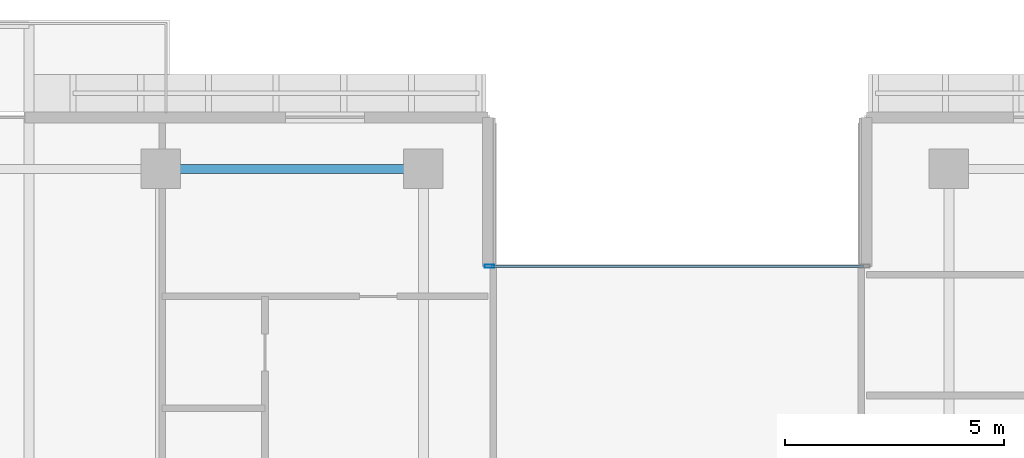
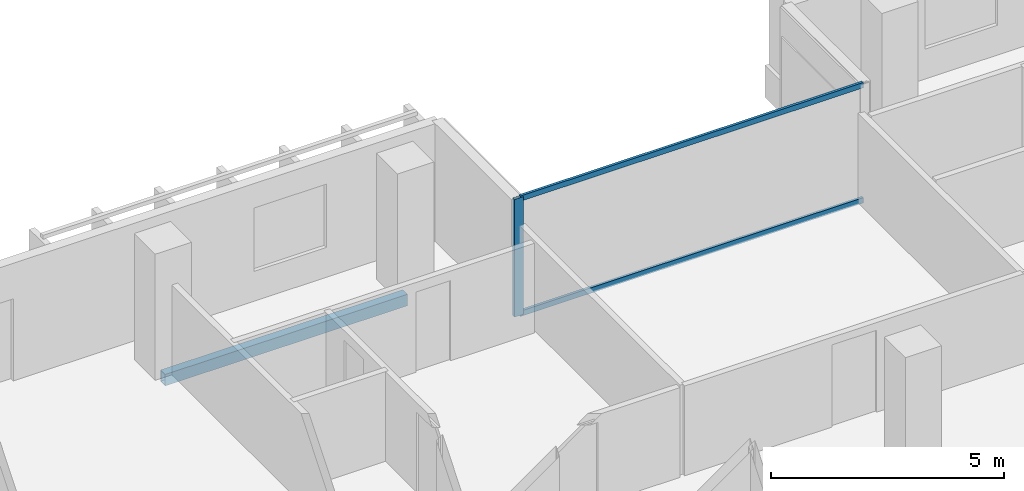
# One storey, part 6 of 20: 3 members, 1 beam, 1 element without a shape of its own.
"""IFC4 building model written with IfcOpenShell, lengths in metres."""

from ifc_helpers import new_model, si_unit, direction, frame, origin, origin_2d, place, context, subcontext, project, spatial, hollow_rectangle, extrude, material, layer, layer_set, material_profile, profile_set, type_object, element, aggregate, save


model = new_model("IFC4")

# Units and contexts
model_context = context("Model", 3, precision=1e-05, world=origin(), true_north=direction((0.0, 1.0)))
body_context = subcontext(model_context, "Body", "Model", "MODEL_VIEW")
ifc_project = project(units=[si_unit("LENGTHUNIT", "METRE"), si_unit("AREAUNIT", "SQUARE_METRE"), si_unit("VOLUMEUNIT", "CUBIC_METRE"), si_unit("PLANEANGLEUNIT", "RADIAN"), si_unit("MASSUNIT", "GRAM", prefix="KILO")], contexts=[model_context])

# Site, building, storey
site_placement = place(None, origin())
site = spatial("IfcSite", under=ifc_project, at=site_placement, CompositionType="ELEMENT")
building_placement = place(site_placement, origin())
building = spatial("IfcBuilding", under=site, at=building_placement, Name="Tanjung Sevakor Pilgrim Tower", CompositionType="ELEMENT")
storey_placement = place(building_placement, frame((0.0, 0.0, 141.89990234375)))
storey = spatial("IfcBuildingStorey", under=building, at=storey_placement, Name="L39", CompositionType="ELEMENT", Elevation=141.89990234375)

# Beam
ifc_material_1 = material(Name="Steel S355J2", Category="steel")
ifc_material_profile_1 = material_profile(ifc_material_1, hollow_rectangle(XDim=0.199951171875, YDim=0.300048828125, WallThickness=0.012451171875, at=origin_2d()))
ifc_profile_set_1 = profile_set([ifc_material_profile_1], Name="Steel S355J2")
beam_type = type_object("IfcBeamType", Name="BM-B-SP3-RHS_300x200x12.5", PredefinedType="SPANDREL", material=ifc_profile_set_1)
beam_placement = place(storey_placement, frame((36.0, 54.0, -0.369873046875), z_axis=(1.0, 0.0, 0.0), x_axis=(0.0, 1.0, 0.0)))
element("IfcBeam", 1, at=beam_placement, inside=storey, type_object=beam_type, Name="L39 Spandrel MAIN N-06", PredefinedType="SPANDREL", context=body_context, shape_type="SweptSolid", body=[
    extrude(hollow_rectangle(XDim=0.199951171875, YDim=0.300048828125, WallThickness=0.012451171875, at=origin_2d()), origin(), (0.0, 0.0, 1.0), 6.0),
])

# Curtain wall, members
ifc_material_2 = material(Name="Aluminium 6063-T6 and Low-E Glass", Category="aluminium")
ifc_layer = layer(ifc_material_2, 0.179931640625)
ifc_layer_set = layer_set([ifc_layer], Name="CW-SYS-CLEFT")
curtain_wall_type = type_object("IfcCurtainWallType", Name="CW-SYS-CLEFT", PredefinedType="NOTDEFINED", material=ifc_layer_set)
curtain_wall_placement = place(storey_placement, origin())
curtain_wall = element("IfcCurtainWall", 2, at=curtain_wall_placement, inside=storey, type_object=curtain_wall_type, Name="L39 Curtain Wall CW-CLF-L39-10", PredefinedType="NOTDEFINED")
ifc_material_3 = material(Name="Aluminium 6063-T6", Category="aluminium")
ifc_material_profile_2 = material_profile(ifc_material_3, hollow_rectangle(XDim=0.074951171875, YDim=0.219970703125, WallThickness=0.0048828125, at=origin_2d()))
ifc_profile_set_2 = profile_set([ifc_material_profile_2], Name="Aluminium 6063-T6")
member_type_1 = type_object("IfcMemberType", Name="TYPE-CWM-2", PredefinedType="MULLION", material=ifc_profile_set_2)
member_1_placement = place(storey_placement, frame((43.512451171875, 51.77490234375, 0.0), z_axis=(0.0, 0.0, 1.0), x_axis=(0.0, -1.0, 0.0)))
member_1 = element("IfcMember", 3, at=member_1_placement, type_object=member_type_1, Name="CW-CLF mullion 2", PredefinedType="MULLION", context=body_context, shape_type="SweptSolid", body=[
    extrude(hollow_rectangle(XDim=0.074951171875, YDim=0.219970703125, WallThickness=0.0048828125, at=origin_2d()), origin(), (0.0, 0.0, 1.0), 3.080078125),
])
ifc_material_4 = material(Name="Aluminium 6063-T6", Category="aluminium")
ifc_material_profile_3 = material_profile(ifc_material_4, hollow_rectangle(XDim=0.06494140625, YDim=0.139892578125, WallThickness=0.00390625, at=origin_2d()))
ifc_profile_set_3 = profile_set([ifc_material_profile_3], Name="Aluminium 6063-T6")
member_type_2 = type_object("IfcMemberType", Name="TYPE-CWT-1", PredefinedType="USERDEFINED", material=ifc_profile_set_3)
member_2_placement = place(storey_placement, frame((52.050048828125, 51.77490234375, 0.03271484375), z_axis=(-1.0, 0.0, 0.0), x_axis=(0.0, -1.0, 0.0)))
member_2 = element("IfcMember", 4, at=member_2_placement, type_object=member_type_2, Name="CW-CLF transom 1.1", ObjectType="TRANSOM", PredefinedType="USERDEFINED", context=body_context, shape_type="SweptSolid", body=[
    extrude(hollow_rectangle(XDim=0.06494140625, YDim=0.139892578125, WallThickness=0.00390625, at=origin_2d()), origin(), (0.0, 0.0, 1.0), 8.5),
])
member_3_placement = place(storey_placement, frame((52.050048828125, 51.77490234375, 3.047607421875), z_axis=(-1.0, 0.0, 0.0), x_axis=(0.0, -1.0, 0.0)))
member_3 = element("IfcMember", 5, at=member_3_placement, type_object=member_type_2, Name="CW-CLF transom 1.2", ObjectType="TRANSOM", PredefinedType="USERDEFINED", context=body_context, shape_type="SweptSolid", body=[
    extrude(hollow_rectangle(XDim=0.06494140625, YDim=0.139892578125, WallThickness=0.00390625, at=origin_2d()), origin(), (0.0, 0.0, 1.0), 8.5),
])
aggregate(curtain_wall, [member_1, member_2, member_3])

save(model, "model.ifc")
